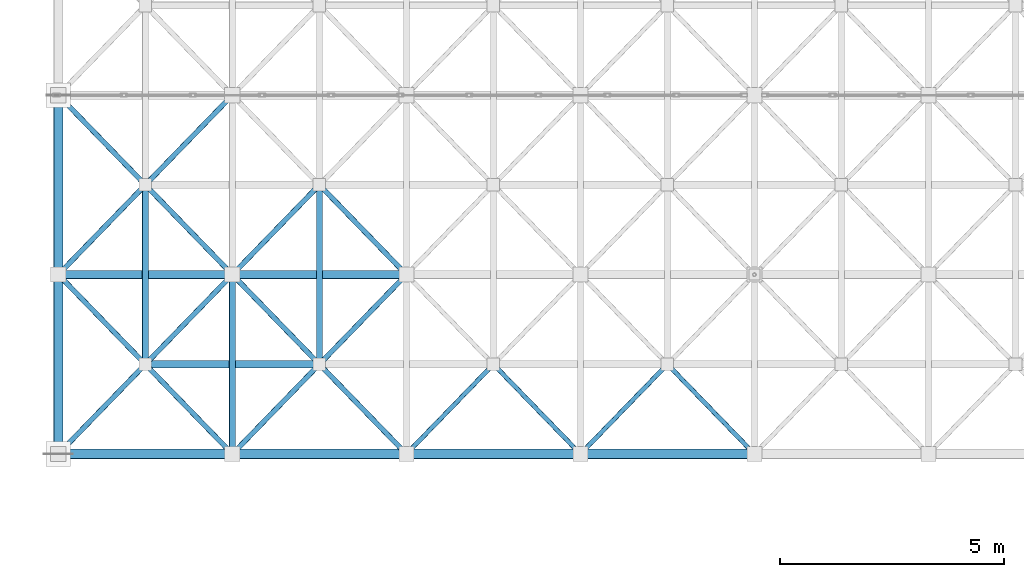
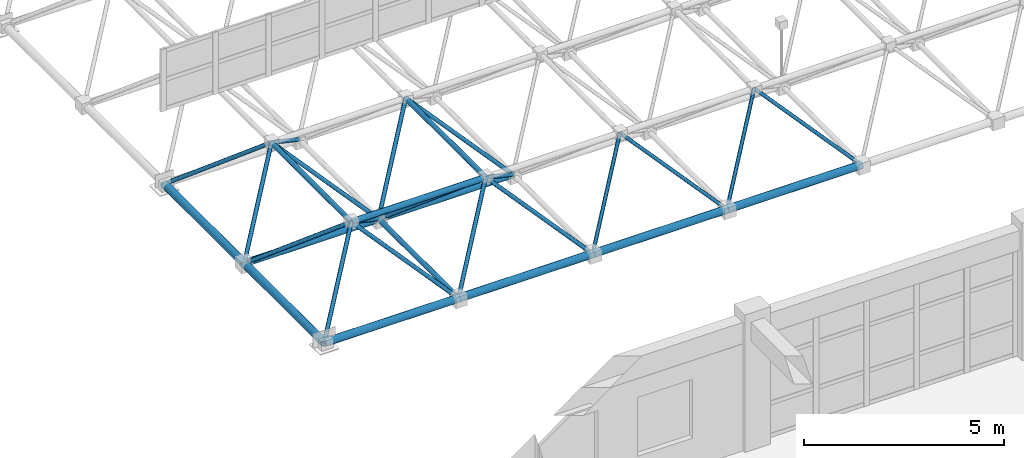
# One storey, part 46 of 195: 30 members.
"""IFC4 building model written with IfcOpenShell, lengths in metres."""

from ifc_helpers import new_model, si_unit, direction, frame, origin, origin_2d, place, context, subcontext, project, spatial, hollow_circle, extrude, material, material_profile, profile_set, type_object, element, save


model = new_model("IFC4")

# Units and contexts
model_context = context("Model", 3, precision=1e-05, world=origin(), true_north=direction((0.0, 1.0)))
body_context = subcontext(model_context, "Body", "Model", "MODEL_VIEW")
ifc_project = project(units=[si_unit("LENGTHUNIT", "METRE"), si_unit("AREAUNIT", "SQUARE_METRE"), si_unit("VOLUMEUNIT", "CUBIC_METRE"), si_unit("PLANEANGLEUNIT", "RADIAN"), si_unit("MASSUNIT", "GRAM", prefix="KILO")], contexts=[model_context])

# Site, building, storey
site_placement = place(None, origin())
site = spatial("IfcSite", under=ifc_project, at=site_placement, CompositionType="ELEMENT")
building_placement = place(site_placement, origin())
building = spatial("IfcBuilding", under=site, at=building_placement, Name="Kharva Crest Polytechnic", CompositionType="ELEMENT")
storey_placement = place(building_placement, frame((0.0, 0.0, 9.0)))
storey = spatial("IfcBuildingStorey", under=building, at=storey_placement, Name="L02", CompositionType="ELEMENT", Elevation=9.0)

# Members
ifc_material = material(Name="Steel S355", Category="steel")
ifc_material_profile_1 = material_profile(ifc_material, hollow_circle(Radius=0.05078125, WallThickness=0.0048828125, at=origin_2d()), Name="CHS 101.6X5.0")
ifc_profile_set_1 = profile_set([ifc_material_profile_1], Name="Steel S355")
member_type_1 = type_object("IfcMemberType", Name="MEM-CHS101", PredefinedType="BRACE", material=ifc_profile_set_1)
for number, where, z_axis, x_axis, name in (
    (1, (8.239990234375, 38.800048828125, 0.60009765625), (0.584843378742, 0.602949529154, 0.542595694449), (-0.717802189577, 0.696247094528, 0.0), "Space Frame Web Diagonal 561"),
    (2, (12.1201171875, 38.800048828125, 0.60009765625), (-0.584891802813, 0.602923574763, 0.542572338032), (-0.717758400015, -0.696292236929, 0.0), "Space Frame Web Diagonal 562"),
    (3, (12.1201171875, 38.800048828125, 0.60009765625), (0.584843378742, 0.602949529154, 0.542595694449), (-0.717802189577, 0.696247094528, 0.0), "Space Frame Web Diagonal 617"),
    (4, (16.0, 38.800048828125, 0.60009765625), (-0.584843378742, 0.602949529154, 0.542595694449), (-0.717802189577, -0.696247094528, 0.0), "Space Frame Web Diagonal 618"),
):
    element("IfcMember", number, at=place(storey_placement, frame(where, z_axis=z_axis, x_axis=x_axis)), inside=storey, type_object=member_type_1, Name=name, PredefinedType="BRACE", context=body_context, shape_type="SweptSolid", body=[
        extrude(hollow_circle(Radius=0.05078125, WallThickness=0.0048828125, at=origin_2d()), origin(), (0.0, 0.0, 1.0), 3.317138671875),
    ])
ifc_material_profile_2 = material_profile(ifc_material, hollow_circle(Radius=0.05712890625, WallThickness=0.00634765625, at=origin_2d()), Name="CHS 114.3X6.3")
ifc_profile_set_2 = profile_set([ifc_material_profile_2], Name="Steel S355")
member_type_2 = type_object("IfcMemberType", Name="MEM-CHS114", PredefinedType="BRACE", material=ifc_profile_set_2)
for number, where, z_axis, x_axis, name in (
    (5, (0.47998046875, 38.800048828125, 0.60009765625), (0.584843378742, 0.602949529154, 0.542595694449), (-0.717802189577, 0.696247094528, 0.0), "Space Frame Web Diagonal 449"),
    (6, (4.360107421875, 38.800048828125, 0.60009765625), (-0.584891802813, 0.602923574763, 0.542572338032), (-0.717758400015, -0.696292236929, 0.0), "Space Frame Web Diagonal 450"),
    (7, (0.47998046875, 42.800048828125, 0.60009765625), (0.584843378742, -0.602949529154, 0.542595694449), (0.717802189577, 0.696247094528, 0.0), "Space Frame Web Diagonal 451"),
    (8, (4.360107421875, 42.800048828125, 0.60009765625), (-0.584891802813, -0.602923574763, 0.542572338032), (0.717758400015, -0.696292236929, 0.0), "Space Frame Web Diagonal 452"),
    (9, (0.47998046875, 42.800048828125, 0.60009765625), (0.584843378742, 0.602949529154, 0.542595694449), (-0.717802189577, 0.696247094528, 0.0), "Space Frame Web Diagonal 453"),
    (10, (4.360107421875, 42.800048828125, 0.60009765625), (-0.584891802813, 0.602923574763, 0.542572338032), (-0.717758400015, -0.696292236929, 0.0), "Space Frame Web Diagonal 454"),
    (11, (0.47998046875, 46.800048828125, 0.60009765625), (0.584843378742, -0.602949529154, 0.542595694449), (0.717802189577, 0.696247094528, 0.0), "Space Frame Web Diagonal 455"),
    (12, (4.360107421875, 46.800048828125, 0.60009765625), (-0.584891802813, -0.602923574763, 0.542572338032), (0.717758400015, -0.696292236929, 0.0), "Space Frame Web Diagonal 456"),
    (13, (4.360107421875, 38.800048828125, 0.60009765625), (0.584843378742, 0.602949529154, 0.542595694449), (-0.717802189577, 0.696247094528, 0.0), "Space Frame Web Diagonal 505"),
    (14, (8.239990234375, 38.800048828125, 0.60009765625), (-0.584843378742, 0.602949529154, 0.542595694449), (-0.717802189577, -0.696247094528, 0.0), "Space Frame Web Diagonal 506"),
    (15, (4.360107421875, 42.800048828125, 0.60009765625), (0.584843378742, -0.602949529154, 0.542595694449), (0.717802189577, 0.696247094528, 0.0), "Space Frame Web Diagonal 507"),
    (16, (8.239990234375, 42.800048828125, 0.60009765625), (-0.584843378742, -0.602949529154, 0.542595694449), (0.717802189577, -0.696247094528, 0.0), "Space Frame Web Diagonal 508"),
    (17, (4.360107421875, 42.800048828125, 0.60009765625), (0.584843378742, 0.602949529154, 0.542595694449), (-0.717802189577, 0.696247094528, 0.0), "Space Frame Web Diagonal 509"),
    (18, (8.239990234375, 42.800048828125, 0.60009765625), (-0.584843378742, 0.602949529154, 0.542595694449), (-0.717802189577, -0.696247094528, 0.0), "Space Frame Web Diagonal 510"),
):
    element("IfcMember", number, at=place(storey_placement, frame(where, z_axis=z_axis, x_axis=x_axis)), inside=storey, type_object=member_type_2, Name=name, PredefinedType="BRACE", context=body_context, shape_type="SweptSolid", body=[
        extrude(hollow_circle(Radius=0.05712890625, WallThickness=0.00634765625, at=origin_2d()), origin(), (0.0, 0.0, 1.0), 3.317138671875),
    ])
ifc_material_profile_3 = material_profile(ifc_material, hollow_circle(Radius=0.06982421875, WallThickness=0.00634765625, at=origin_2d()), Name="CHS 139.7X6.3")
ifc_profile_set_3 = profile_set([ifc_material_profile_3], Name="Steel S355")
member_type_3 = type_object("IfcMemberType", Name="MEM-CHS139", PredefinedType="CHORD", material=ifc_profile_set_3)
for number, where, z_axis, x_axis, name in (
    (19, (4.360107421875, 38.800048828125, 0.60009765625), (0.0, 1.0, 0.0), (-1.0, 0.0, 0.0), "Space Frame Bottom Chord Y 135"),
    (20, (2.419921875, 40.800048828125, 2.39990234375), (0.0, 1.0, 0.0), (-1.0, 0.0, 0.0), "Space Frame Top Chord Y 345"),
    (21, (6.300048828125, 40.800048828125, 2.39990234375), (0.0, 1.0, 0.0), (-1.0, 0.0, 0.0), "Space Frame Top Chord Y 358"),
):
    element("IfcMember", number, at=place(storey_placement, frame(where, z_axis=z_axis, x_axis=x_axis)), inside=storey, type_object=member_type_3, Name=name, PredefinedType="CHORD", context=body_context, shape_type="SweptSolid", body=[
        extrude(hollow_circle(Radius=0.06982421875, WallThickness=0.00634765625, at=origin_2d()), origin(), (0.0, 0.0, 1.0), 4.0),
    ])
ifc_material_profile_4 = material_profile(ifc_material, hollow_circle(Radius=0.084228515625, WallThickness=0.008056640625, at=origin_2d()), Name="CHS 168.3X8.0")
ifc_profile_set_4 = profile_set([ifc_material_profile_4], Name="Steel S355")
member_type_4 = type_object("IfcMemberType", Name="MEM-CHS168", PredefinedType="CHORD", material=ifc_profile_set_4)
member_1_placement = place(storey_placement, frame((2.419921875, 40.800048828125, 2.39990234375), z_axis=(1.0, 0.0, 0.0), x_axis=(0.0, 1.0, 0.0)))
element("IfcMember", 22, at=member_1_placement, inside=storey, type_object=member_type_4, Name="Space Frame Top Chord X 247", PredefinedType="CHORD", context=body_context, shape_type="SweptSolid", body=[
    extrude(hollow_circle(Radius=0.084228515625, WallThickness=0.008056640625, at=origin_2d()), origin(), (0.0, 0.0, 1.0), 3.880126953125),
])
ifc_material_profile_5 = material_profile(ifc_material, hollow_circle(Radius=0.096923828125, WallThickness=0.008056640625, at=origin_2d()), Name="CHS 193.7X8.0")
ifc_profile_set_5 = profile_set([ifc_material_profile_5], Name="Steel S355")
member_type_5 = type_object("IfcMemberType", Name="MEM-CHS193", PredefinedType="CHORD", material=ifc_profile_set_5)
member_2_placement = place(storey_placement, frame((0.47998046875, 42.800048828125, 0.60009765625), z_axis=(1.0, 0.0, 0.0), x_axis=(0.0, 1.0, 0.0)))
element("IfcMember", 23, at=member_2_placement, inside=storey, type_object=member_type_5, Name="Space Frame Bottom Chord X 9", PredefinedType="CHORD", context=body_context, shape_type="SweptSolid", body=[
    extrude(hollow_circle(Radius=0.096923828125, WallThickness=0.008056640625, at=origin_2d()), origin(), (0.0, 0.0, 1.0), 3.880126953125),
])
member_3_placement = place(storey_placement, frame((4.360107421875, 42.800048828125, 0.60009765625), z_axis=(1.0, 0.0, 0.0), x_axis=(0.0, 1.0, 0.0)))
element("IfcMember", 24, at=member_3_placement, inside=storey, type_object=member_type_5, Name="Space Frame Bottom Chord X 10", PredefinedType="CHORD", context=body_context, shape_type="SweptSolid", body=[
    extrude(hollow_circle(Radius=0.096923828125, WallThickness=0.008056640625, at=origin_2d()), origin(), (0.0, 0.0, 1.0), 3.8798828125),
])
ifc_material_profile_6 = material_profile(ifc_material, hollow_circle(Radius=0.109619140625, WallThickness=0.010009765625, at=origin_2d()), Name="CHS 219.1X10.0")
ifc_profile_set_6 = profile_set([ifc_material_profile_6], Name="Steel S355")
member_type_6 = type_object("IfcMemberType", Name="MEM-CHS219", PredefinedType="CHORD", material=ifc_profile_set_6)
member_4_placement = place(storey_placement, frame((0.47998046875, 38.800048828125, 0.60009765625), z_axis=(1.0, 0.0, 0.0), x_axis=(0.0, 1.0, 0.0)))
element("IfcMember", 25, at=member_4_placement, inside=storey, type_object=member_type_6, Name="Space Frame Bottom Chord X 1", PredefinedType="CHORD", context=body_context, shape_type="SweptSolid", body=[
    extrude(hollow_circle(Radius=0.109619140625, WallThickness=0.010009765625, at=origin_2d()), origin(), (0.0, 0.0, 1.0), 3.880126953125),
])
member_5_placement = place(storey_placement, frame((4.360107421875, 38.800048828125, 0.60009765625), z_axis=(1.0, 0.0, 0.0), x_axis=(0.0, 1.0, 0.0)))
element("IfcMember", 26, at=member_5_placement, inside=storey, type_object=member_type_6, Name="Space Frame Bottom Chord X 2", PredefinedType="CHORD", context=body_context, shape_type="SweptSolid", body=[
    extrude(hollow_circle(Radius=0.109619140625, WallThickness=0.010009765625, at=origin_2d()), origin(), (0.0, 0.0, 1.0), 3.8798828125),
])
member_6_placement = place(storey_placement, frame((8.239990234375, 38.800048828125, 0.60009765625), z_axis=(1.0, 0.0, 0.0), x_axis=(0.0, 1.0, 0.0)))
element("IfcMember", 27, at=member_6_placement, inside=storey, type_object=member_type_6, Name="Space Frame Bottom Chord X 3", PredefinedType="CHORD", context=body_context, shape_type="SweptSolid", body=[
    extrude(hollow_circle(Radius=0.109619140625, WallThickness=0.010009765625, at=origin_2d()), origin(), (0.0, 0.0, 1.0), 3.880126953125),
])
member_7_placement = place(storey_placement, frame((12.1201171875, 38.800048828125, 0.60009765625), z_axis=(1.0, 0.0, 0.0), x_axis=(0.0, 1.0, 0.0)))
element("IfcMember", 28, at=member_7_placement, inside=storey, type_object=member_type_6, Name="Space Frame Bottom Chord X 4", PredefinedType="CHORD", context=body_context, shape_type="SweptSolid", body=[
    extrude(hollow_circle(Radius=0.109619140625, WallThickness=0.010009765625, at=origin_2d()), origin(), (0.0, 0.0, 1.0), 3.8798828125),
])
for number, where, z_axis, x_axis, name in (
    (29, (0.47998046875, 38.800048828125, 0.60009765625), (0.0, 1.0, 0.0), (-1.0, 0.0, 0.0), "Space Frame Bottom Chord Y 121"),
    (30, (0.47998046875, 42.800048828125, 0.60009765625), (0.0, 1.0, 0.0), (-1.0, 0.0, 0.0), "Space Frame Bottom Chord Y 122"),
):
    element("IfcMember", number, at=place(storey_placement, frame(where, z_axis=z_axis, x_axis=x_axis)), inside=storey, type_object=member_type_6, Name=name, PredefinedType="CHORD", context=body_context, shape_type="SweptSolid", body=[
        extrude(hollow_circle(Radius=0.109619140625, WallThickness=0.010009765625, at=origin_2d()), origin(), (0.0, 0.0, 1.0), 4.0),
    ])

save(model, "model.ifc")
